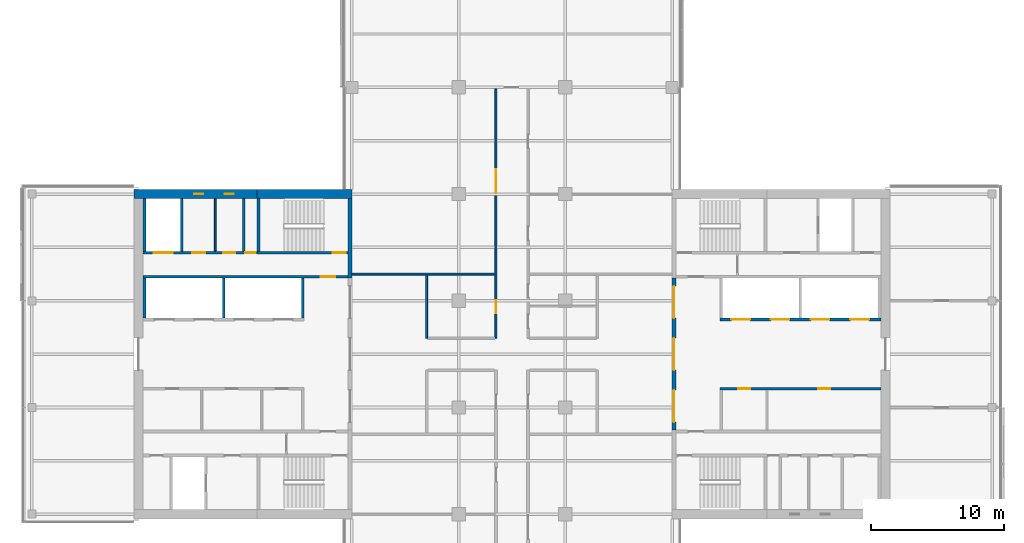
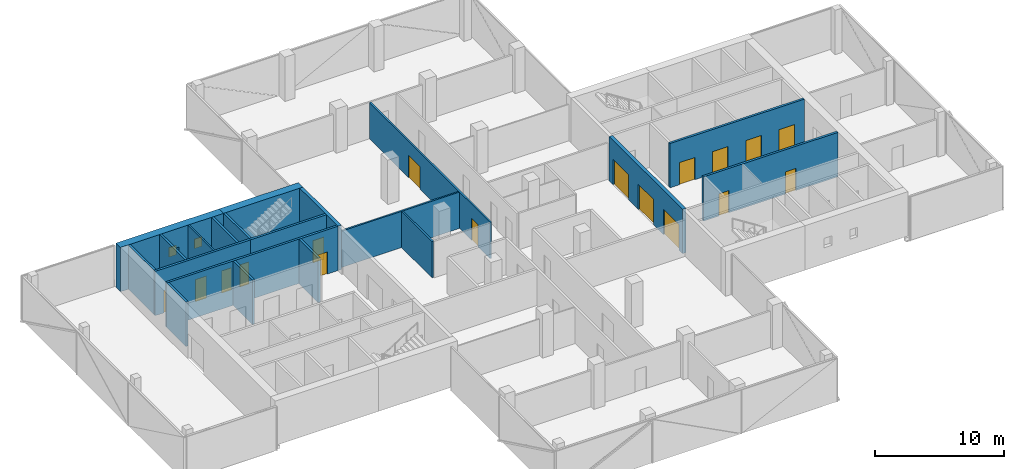
# One storey, part 15 of 22: 20 walls, 17 doors, 2 windows, 19 openings.
"""IFC4 building model written with IfcOpenShell, lengths in metres."""

from ifc_helpers import new_model, si_unit, direction, frame, frame_2d, origin, place, context, subcontext, project, spatial, rectangle, extrude, material, layer, layer_set, constituent, constituent_set, type_object, element, fill, save


model = new_model("IFC4")

# Units and contexts
model_context = context("Model", 3, precision=1e-05, world=origin(), true_north=direction((0.0, 1.0)))
body_context = subcontext(model_context, "Body", "Model", "MODEL_VIEW")
ifc_project = project(units=[si_unit("LENGTHUNIT", "METRE"), si_unit("AREAUNIT", "SQUARE_METRE"), si_unit("VOLUMEUNIT", "CUBIC_METRE"), si_unit("PLANEANGLEUNIT", "RADIAN"), si_unit("MASSUNIT", "GRAM", prefix="KILO")], contexts=[model_context])

# Site, building, storey
site_placement = place(None, origin())
site = spatial("IfcSite", under=ifc_project, at=site_placement, CompositionType="ELEMENT")
building_placement = place(site_placement, origin())
building = spatial("IfcBuilding", under=site, at=building_placement, Name="Crosswind Convention Tower", CompositionType="ELEMENT")
storey_placement = place(building_placement, frame((0.0, 0.0, 150.5)))
storey = spatial("IfcBuildingStorey", under=building, at=storey_placement, Name="L31", CompositionType="ELEMENT", Elevation=150.5)

# Wall
ifc_material_1 = material(Name="Concrete blockwork", Category="masonry")
ifc_layer_1 = layer(ifc_material_1, 0.199951171875)
ifc_layer_set_1 = layer_set([ifc_layer_1], Name="Blockwork partition wall 200")
wall_type_1 = type_object("IfcWallType", Name="Blockwork partition wall 200", PredefinedType="PARTITIONING", material=ifc_layer_set_1)
wall_1_placement = place(storey_placement, frame((104.89990234375, 111.64990234375, 0.0), z_axis=(0.0, 0.0, 1.0), x_axis=(0.0, -1.0, 0.0)))
element("IfcWall", 1, at=wall_1_placement, inside=storey, type_object=wall_type_1, Name="Wall MRSE W L31", PredefinedType="PARTITIONING", context=body_context, shape_type="SweptSolid", body=[
    extrude(rectangle(XDim=3.949951171875, YDim=0.199951171875, at=frame_2d((1.97509765625, 0.0))), origin(), (0.0, 0.0, 1.0), 4.199951171875),
])

# Wall, openings, doors
ifc_material_2 = material(Name="Concrete C50/60", Category="concrete")
ifc_layer_2 = layer(ifc_material_2, 0.300048828125)
ifc_layer_set_2 = layer_set([ifc_layer_2], Name="Concrete C50/60")
wall_type_2 = type_object("IfcWallType", Name="Concrete inner core wall 300", PredefinedType="SHEAR", material=ifc_layer_set_2)
wall_2_placement = place(storey_placement, frame((137.14990234375, 94.300048828125, 0.0), z_axis=(0.0, 0.0, 1.0), x_axis=(0.0, 1.0, 0.0)))
wall_2 = element("IfcWall", 2, at=wall_2_placement, inside=storey, type_object=wall_type_2, Name="Wall SCR E L31", PredefinedType="SHEAR", context=body_context, shape_type="SweptSolid", body=[
    extrude(rectangle(XDim=11.39990234375, YDim=0.300048828125, at=frame_2d((5.699951171875, 0.0))), origin(), (0.0, 0.0, 1.0), 4.199951171875),
])
opening_1_placement = place(wall_2_placement, frame((0.60009765625, 0.0, 0.0)))
opening_1 = element("IfcOpeningElement", 3, at=opening_1_placement, cuts=wall_2, Name="Opening D100", PredefinedType="OPENING", context=body_context, shape_type="SweptSolid", body=[
    extrude(rectangle(XDim=2.39990234375, YDim=2.39990234375, at=frame_2d((1.199951171875, 1.199951171875))), frame((0.0, 0.159912109375, 0.0), z_axis=(0.0, -1.0, 0.0), x_axis=(1.0, 0.0, 0.0)), (0.0, 0.0, 1.0), 0.320068359375),
])
opening_2_placement = place(wall_2_placement, frame((4.5, 0.0, 0.0)))
opening_2 = element("IfcOpeningElement", 4, at=opening_2_placement, cuts=wall_2, Name="Opening D100", PredefinedType="OPENING", context=body_context, shape_type="SweptSolid", body=[
    extrude(rectangle(XDim=2.39990234375, YDim=2.39990234375, at=frame_2d((1.199951171875, 1.199951171875))), frame((0.0, 0.159912109375, 0.0), z_axis=(0.0, -1.0, 0.0), x_axis=(1.0, 0.0, 0.0)), (0.0, 0.0, 1.0), 0.320068359375),
])
opening_3_placement = place(wall_2_placement, frame((8.39990234375, 0.0, 0.0)))
opening_3 = element("IfcOpeningElement", 5, at=opening_3_placement, cuts=wall_2, Name="Opening D100", PredefinedType="OPENING", context=body_context, shape_type="SweptSolid", body=[
    extrude(rectangle(XDim=2.39990234375, YDim=2.39990234375, at=frame_2d((1.199951171875, 1.199951171875))), frame((0.0, 0.159912109375, 0.0), z_axis=(0.0, -1.0, 0.0), x_axis=(1.0, 0.0, 0.0)), (0.0, 0.0, 1.0), 0.320068359375),
])
ifc_material_3 = material(Name="Steel fire door with glazed vision panels", Category="steel")
door_type_1 = type_object("IfcDoorType", Name="Fire-rated double door 2400x2400", OperationType="DOUBLE_DOOR_SINGLE_SWING", PredefinedType="DOOR", material=ifc_material_3)
door_1_placement = place(opening_1_placement, origin())
door_1 = element("IfcDoor", 6, at=door_1_placement, inside=storey, type_object=door_type_1, Name="Lobby door 1 L31", ObjectType="D100", OperationType="DOUBLE_DOOR_SINGLE_SWING", OverallHeight=2.39990234375, OverallWidth=2.39990234375, PredefinedType="DOOR", context=body_context, shape_type="SweptSolid", body=[
    extrude(rectangle(XDim=2.39990234375, YDim=2.39990234375, at=frame_2d((1.199951171875, 1.199951171875))), frame((0.0, 0.02490234375, 0.0), z_axis=(0.0, -1.0, 0.0), x_axis=(1.0, 0.0, 0.0)), (0.0, 0.0, 1.0), 0.050048828125),
])
fill(opening_1, door_1)
door_2_placement = place(opening_2_placement, origin())
door_2 = element("IfcDoor", 7, at=door_2_placement, inside=storey, type_object=door_type_1, Name="Lobby door 2 L31", ObjectType="D100", OperationType="DOUBLE_DOOR_SINGLE_SWING", OverallHeight=2.39990234375, OverallWidth=2.39990234375, PredefinedType="DOOR", context=body_context, shape_type="SweptSolid", body=[
    extrude(rectangle(XDim=2.39990234375, YDim=2.39990234375, at=frame_2d((1.199951171875, 1.199951171875))), frame((0.0, 0.02490234375, 0.0), z_axis=(0.0, -1.0, 0.0), x_axis=(1.0, 0.0, 0.0)), (0.0, 0.0, 1.0), 0.050048828125),
])
fill(opening_2, door_2)
door_3_placement = place(opening_3_placement, origin())
door_3 = element("IfcDoor", 8, at=door_3_placement, inside=storey, type_object=door_type_1, Name="Lobby door 3 L31", ObjectType="D100", OperationType="DOUBLE_DOOR_SINGLE_SWING", OverallHeight=2.39990234375, OverallWidth=2.39990234375, PredefinedType="DOOR", context=body_context, shape_type="SweptSolid", body=[
    extrude(rectangle(XDim=2.39990234375, YDim=2.39990234375, at=frame_2d((1.199951171875, 1.199951171875))), frame((0.0, 0.02490234375, 0.0), z_axis=(0.0, -1.0, 0.0), x_axis=(1.0, 0.0, 0.0)), (0.0, 0.0, 1.0), 0.050048828125),
])
fill(opening_3, door_3)

# Wall
wall_3_placement = place(storey_placement, frame((112.85009765625, 111.64990234375, 0.0), z_axis=(0.0, 0.0, 1.0), x_axis=(0.0, -1.0, 0.0)))
element("IfcWall", 9, at=wall_3_placement, inside=storey, type_object=wall_type_2, Name="Wall EM W L31", PredefinedType="SHEAR", context=body_context, shape_type="SweptSolid", body=[
    extrude(rectangle(XDim=5.949951171875, YDim=0.300048828125, at=frame_2d((2.97509765625, 0.0))), origin(), (0.0, 0.0, 1.0), 4.199951171875),
])

# Wall, openings, doors
ifc_layer_3 = layer(ifc_material_2, 0.199951171875)
ifc_layer_set_3 = layer_set([ifc_layer_3], Name="Concrete C50/60")
wall_type_3 = type_object("IfcWallType", Name="Concrete shaft and stair wall 200", PredefinedType="SHEAR", material=ifc_layer_set_3)
wall_4_placement = place(storey_placement, frame((140.60009765625, 102.60009765625, 0.0), z_axis=(0.0, 0.0, 1.0), x_axis=(1.0, 0.0, 0.0)))
wall_4 = element("IfcWall", 10, at=wall_4_placement, inside=storey, type_object=wall_type_3, Name="Wall RPFRONT E L31", PredefinedType="SHEAR", context=body_context, shape_type="SweptSolid", body=[
    extrude(rectangle(XDim=12.0498046875, YDim=0.199951171875, at=frame_2d((6.02490234375, 0.0))), origin(), (0.0, 0.0, 1.0), 4.199951171875),
])
opening_4_placement = place(wall_4_placement, frame((0.85009765625, 0.0, 0.0)))
opening_4 = element("IfcOpeningElement", 11, at=opening_4_placement, cuts=wall_4, Name="Opening LD2", PredefinedType="OPENING", context=body_context, shape_type="SweptSolid", body=[
    extrude(rectangle(XDim=1.39990234375, YDim=2.10009765625, at=frame_2d((0.699951171875, 1.050048828125))), frame((0.0, 0.10986328125, 0.0), z_axis=(0.0, -1.0, 0.0), x_axis=(1.0, 0.0, 0.0)), (0.0, 0.0, 1.0), 0.219970703125),
])
opening_5_placement = place(wall_4_placement, frame((3.800048828125, 0.0, 0.0)))
opening_5 = element("IfcOpeningElement", 12, at=opening_5_placement, cuts=wall_4, Name="Opening LD2", PredefinedType="OPENING", context=body_context, shape_type="SweptSolid", body=[
    extrude(rectangle(XDim=1.39990234375, YDim=2.10009765625, at=frame_2d((0.699951171875, 1.050048828125))), frame((0.0, 0.10986328125, 0.0), z_axis=(0.0, -1.0, 0.0), x_axis=(1.0, 0.0, 0.0)), (0.0, 0.0, 1.0), 0.219970703125),
])
opening_6_placement = place(wall_4_placement, frame((6.800048828125, 0.0, 0.0)))
opening_6 = element("IfcOpeningElement", 13, at=opening_6_placement, cuts=wall_4, Name="Opening LD2", PredefinedType="OPENING", context=body_context, shape_type="SweptSolid", body=[
    extrude(rectangle(XDim=1.39990234375, YDim=2.10009765625, at=frame_2d((0.699951171875, 1.050048828125))), frame((0.0, 0.10986328125, 0.0), z_axis=(0.0, -1.0, 0.0), x_axis=(1.0, 0.0, 0.0)), (0.0, 0.0, 1.0), 0.219970703125),
])
opening_7_placement = place(wall_4_placement, frame((9.77490234375, 0.0, 0.0)))
opening_7 = element("IfcOpeningElement", 14, at=opening_7_placement, cuts=wall_4, Name="Opening LD2", PredefinedType="OPENING", context=body_context, shape_type="SweptSolid", body=[
    extrude(rectangle(XDim=1.39990234375, YDim=2.10009765625, at=frame_2d((0.699951171875, 1.050048828125))), frame((0.0, 0.10986328125, 0.0), z_axis=(0.0, -1.0, 0.0), x_axis=(1.0, 0.0, 0.0)), (0.0, 0.0, 1.0), 0.219970703125),
])
ifc_material_4 = material(Name="Stainless steel", Category="steel")
door_type_2 = type_object("IfcDoorType", Name="Lift landing door 1400x2100", OperationType="DOUBLE_DOOR_SLIDING", PredefinedType="DOOR", material=ifc_material_4)
door_4_placement = place(opening_4_placement, origin())
door_4 = element("IfcDoor", 15, at=door_4_placement, inside=storey, type_object=door_type_2, Name="Landing door A1 L31", ObjectType="LD2", OperationType="DOUBLE_DOOR_SLIDING", OverallHeight=2.10009765625, OverallWidth=1.39990234375, PredefinedType="DOOR", context=body_context, shape_type="SweptSolid", body=[
    extrude(rectangle(XDim=1.39990234375, YDim=2.10009765625, at=frame_2d((0.699951171875, 1.050048828125))), frame((0.0, 0.02490234375, 0.0), z_axis=(0.0, -1.0, 0.0), x_axis=(1.0, 0.0, 0.0)), (0.0, 0.0, 1.0), 0.050048828125),
])
fill(opening_4, door_4)
door_5_placement = place(opening_5_placement, origin())
door_5 = element("IfcDoor", 16, at=door_5_placement, inside=storey, type_object=door_type_2, Name="Landing door A2 L31", ObjectType="LD2", OperationType="DOUBLE_DOOR_SLIDING", OverallHeight=2.10009765625, OverallWidth=1.39990234375, PredefinedType="DOOR", context=body_context, shape_type="SweptSolid", body=[
    extrude(rectangle(XDim=1.39990234375, YDim=2.10009765625, at=frame_2d((0.699951171875, 1.050048828125))), frame((0.0, 0.02490234375, 0.0), z_axis=(0.0, -1.0, 0.0), x_axis=(1.0, 0.0, 0.0)), (0.0, 0.0, 1.0), 0.050048828125),
])
fill(opening_5, door_5)
door_6_placement = place(opening_6_placement, origin())
door_6 = element("IfcDoor", 17, at=door_6_placement, inside=storey, type_object=door_type_2, Name="Landing door A3 L31", ObjectType="LD2", OperationType="DOUBLE_DOOR_SLIDING", OverallHeight=2.10009765625, OverallWidth=1.39990234375, PredefinedType="DOOR", context=body_context, shape_type="SweptSolid", body=[
    extrude(rectangle(XDim=1.39990234375, YDim=2.10009765625, at=frame_2d((0.699951171875, 1.050048828125))), frame((0.0, 0.02490234375, 0.0), z_axis=(0.0, -1.0, 0.0), x_axis=(1.0, 0.0, 0.0)), (0.0, 0.0, 1.0), 0.050048828125),
])
fill(opening_6, door_6)
door_7_placement = place(opening_7_placement, origin())
door_7 = element("IfcDoor", 18, at=door_7_placement, inside=storey, type_object=door_type_2, Name="Landing door A4 L31", ObjectType="LD2", OperationType="DOUBLE_DOOR_SLIDING", OverallHeight=2.10009765625, OverallWidth=1.39990234375, PredefinedType="DOOR", context=body_context, shape_type="SweptSolid", body=[
    extrude(rectangle(XDim=1.39990234375, YDim=2.10009765625, at=frame_2d((0.699951171875, 1.050048828125))), frame((0.0, 0.02490234375, 0.0), z_axis=(0.0, -1.0, 0.0), x_axis=(1.0, 0.0, 0.0)), (0.0, 0.0, 1.0), 0.050048828125),
])
fill(opening_7, door_7)

wall_5_placement = place(storey_placement, frame((140.60009765625, 97.39990234375, 0.0), z_axis=(0.0, 0.0, 1.0), x_axis=(1.0, 0.0, 0.0)))
wall_5 = element("IfcWall", 19, at=wall_5_placement, inside=storey, type_object=wall_type_3, Name="Wall RMFRONT E L31", PredefinedType="SHEAR", context=body_context, shape_type="SweptSolid", body=[
    extrude(rectangle(XDim=12.0498046875, YDim=0.199951171875, at=frame_2d((6.02490234375, 0.0))), origin(), (0.0, 0.0, 1.0), 4.199951171875),
])
opening_8_placement = place(wall_5_placement, frame((1.377685546875, 0.0, 0.0)))
opening_8 = element("IfcOpeningElement", 20, at=opening_8_placement, cuts=wall_5, Name="Opening D106", PredefinedType="OPENING", context=body_context, shape_type="SweptSolid", body=[
    extrude(rectangle(XDim=0.89990234375, YDim=2.10009765625, at=frame_2d((0.449951171875, 1.050048828125))), frame((0.0, 0.10986328125, 0.0), z_axis=(0.0, -1.0, 0.0), x_axis=(1.0, 0.0, 0.0)), (0.0, 0.0, 1.0), 0.219970703125),
])
opening_9_placement = place(wall_5_placement, frame((7.365234375, 0.0, 0.0)))
opening_9 = element("IfcOpeningElement", 21, at=opening_9_placement, cuts=wall_5, Name="Opening D106", PredefinedType="OPENING", context=body_context, shape_type="SweptSolid", body=[
    extrude(rectangle(XDim=0.89990234375, YDim=2.10009765625, at=frame_2d((0.449951171875, 1.050048828125))), frame((0.0, 0.10986328125, 0.0), z_axis=(0.0, -1.0, 0.0), x_axis=(1.0, 0.0, 0.0)), (0.0, 0.0, 1.0), 0.219970703125),
])
ifc_material_5 = material(Name="Timber door", Category="wood")
door_type_3 = type_object("IfcDoorType", Name="Single leaf door 900x2100", OperationType="NOTDEFINED", PredefinedType="DOOR", material=ifc_material_5)
door_8_placement = place(opening_8_placement, frame((0.89990234375, 0.0, 0.0), z_axis=(0.0, 0.0, 1.0), x_axis=(-1.0, 0.0, 0.0)))
door_8 = element("IfcDoor", 22, at=door_8_placement, inside=storey, type_object=door_type_3, Name="Door to copy and print room L31", ObjectType="D106", OperationType="SINGLE_SWING_LEFT", OverallHeight=2.10009765625, OverallWidth=0.89990234375, PredefinedType="DOOR", context=body_context, shape_type="SweptSolid", body=[
    extrude(rectangle(XDim=0.89990234375, YDim=2.10009765625, at=frame_2d((0.449951171875, 1.050048828125))), frame((0.0, 0.02490234375, 0.0), z_axis=(0.0, -1.0, 0.0), x_axis=(1.0, 0.0, 0.0)), (0.0, 0.0, 1.0), 0.050048828125),
])
fill(opening_8, door_8)
door_9_placement = place(opening_9_placement, frame((0.89990234375, 0.0, 0.0), z_axis=(0.0, 0.0, 1.0), x_axis=(-1.0, 0.0, 0.0)))
door_9 = element("IfcDoor", 23, at=door_9_placement, inside=storey, type_object=door_type_3, Name="Door to meeting room L31", ObjectType="D106", OperationType="SINGLE_SWING_LEFT", OverallHeight=2.10009765625, OverallWidth=0.89990234375, PredefinedType="DOOR", context=body_context, shape_type="SweptSolid", body=[
    extrude(rectangle(XDim=0.89990234375, YDim=2.10009765625, at=frame_2d((0.449951171875, 1.050048828125))), frame((0.0, 0.02490234375, 0.0), z_axis=(0.0, -1.0, 0.0), x_axis=(1.0, 0.0, 0.0)), (0.0, 0.0, 1.0), 0.050048828125),
])
fill(opening_9, door_9)

# Walls
for number, where, z_axis, x_axis, name in (
    (24, (109.300048828125, 105.699951171875, 0.0), (0.0, 0.0, 1.0), (0.0, -1.0, 0.0), "Wall RMEND W L31"),
    (25, (103.39990234375, 105.699951171875, 0.0), (0.0, 0.0, 1.0), (0.0, -1.0, 0.0), "Wall RMSEP W L31"),
    (26, (97.449951171875, 105.699951171875, 0.0), (0.0, 0.0, 1.0), (0.0, -1.0, 0.0), "Wall RMEAST W L31"),
):
    element("IfcWall", number, at=place(storey_placement, frame(where, z_axis=z_axis, x_axis=x_axis)), inside=storey, type_object=wall_type_3, Name=name, PredefinedType="SHEAR", context=body_context, shape_type="SweptSolid", body=[
        extrude(rectangle(XDim=3.0, YDim=0.199951171875, at=frame_2d((1.5, 0.0))), origin(), (0.0, 0.0, 1.0), 4.199951171875),
    ])

# Wall, opening, door
wall_6_placement = place(storey_placement, frame((112.699951171875, 105.800048828125, 0.0), z_axis=(0.0, 0.0, 1.0), x_axis=(-1.0, 0.0, 0.0)))
wall_6 = element("IfcWall", 27, at=wall_6_placement, inside=storey, type_object=wall_type_3, Name="Wall HM W L31", PredefinedType="SHEAR", context=body_context, shape_type="SweptSolid", body=[
    extrude(rectangle(XDim=15.349853515625, YDim=0.199951171875, at=frame_2d((7.6748046875, 0.0))), origin(), (0.0, 0.0, 1.0), 4.199951171875),
])
opening_10_placement = place(wall_6_placement, frame((0.949951171875, 0.0, 0.0)))
opening_10 = element("IfcOpeningElement", 28, at=opening_10_placement, cuts=wall_6, Name="Opening D104", PredefinedType="OPENING", context=body_context, shape_type="SweptSolid", body=[
    extrude(rectangle(XDim=1.10009765625, YDim=2.10009765625, at=frame_2d((0.550048828125, 1.050048828125))), frame((0.0, 0.10986328125, 0.0), z_axis=(0.0, -1.0, 0.0), x_axis=(1.0, 0.0, 0.0)), (0.0, 0.0, 1.0), 0.219970703125),
])
ifc_material_6 = material(Name="Steel fire door", Category="steel")
door_type_4 = type_object("IfcDoorType", Name="Fire-rated single door 1100x2100", OperationType="NOTDEFINED", PredefinedType="DOOR", material=ifc_material_6)
door_10_placement = place(opening_10_placement, origin())
door_10 = element("IfcDoor", 29, at=door_10_placement, inside=storey, type_object=door_type_4, Name="Corridor door L31", ObjectType="D104", OperationType="SINGLE_SWING_LEFT", OverallHeight=2.10009765625, OverallWidth=1.10009765625, PredefinedType="DOOR", context=body_context, shape_type="SweptSolid", body=[
    extrude(rectangle(XDim=1.10009765625, YDim=2.10009765625, at=frame_2d((0.550048828125, 1.050048828125))), frame((0.0, 0.02490234375, 0.0), z_axis=(0.0, -1.0, 0.0), x_axis=(1.0, 0.0, 0.0)), (0.0, 0.0, 1.0), 0.050048828125),
])
fill(opening_10, door_10)

# Walls
for number, where, z_axis, x_axis, name in (
    (30, (106.0, 111.64990234375, 0.0), (0.0, 0.0, 1.0), (0.0, -1.0, 0.0), "Wall MSE W L31"),
    (31, (100.25, 111.64990234375, 0.0), (0.0, 0.0, 1.0), (0.0, -1.0, 0.0), "Wall MFSW W L31"),
    (32, (97.449951171875, 111.64990234375, 0.0), (0.0, 0.0, 1.0), (0.0, -1.0, 0.0), "Wall MFSE W L31"),
):
    element("IfcWall", number, at=place(storey_placement, frame(where, z_axis=z_axis, x_axis=x_axis)), inside=storey, type_object=wall_type_3, Name=name, PredefinedType="SHEAR", context=body_context, shape_type="SweptSolid", body=[
        extrude(rectangle(XDim=3.949951171875, YDim=0.199951171875, at=frame_2d((1.97509765625, 0.0))), origin(), (0.0, 0.0, 1.0), 4.199951171875),
    ])

# Wall, opening, door
wall_7_placement = place(storey_placement, frame((112.699951171875, 107.60009765625, 0.0), z_axis=(0.0, 0.0, 1.0), x_axis=(-1.0, 0.0, 0.0)))
wall_7 = element("IfcWall", 33, at=wall_7_placement, inside=storey, type_object=wall_type_3, Name="Wall MCW W L31", PredefinedType="SHEAR", context=body_context, shape_type="SweptSolid", body=[
    extrude(rectangle(XDim=6.800048828125, YDim=0.199951171875, at=frame_2d((3.39990234375, 0.0))), origin(), (0.0, 0.0, 1.0), 4.199951171875),
])
opening_11_placement = place(wall_7_placement, frame((0.14990234375, 0.0, 0.0)))
opening_11 = element("IfcOpeningElement", 34, at=opening_11_placement, cuts=wall_7, Name="Opening D103", PredefinedType="OPENING", context=body_context, shape_type="SweptSolid", body=[
    extrude(rectangle(XDim=1.0, YDim=2.10009765625, at=frame_2d((0.5, 1.050048828125))), frame((0.0, 0.10986328125, 0.0), z_axis=(0.0, -1.0, 0.0), x_axis=(1.0, 0.0, 0.0)), (0.0, 0.0, 1.0), 0.219970703125),
])
door_type_5 = type_object("IfcDoorType", Name="Fire-rated single door 1000x2100", OperationType="NOTDEFINED", PredefinedType="DOOR", material=ifc_material_6)
door_11_placement = place(opening_11_placement, frame((1.0, 0.0, 0.0), z_axis=(0.0, 0.0, 1.0), x_axis=(-1.0, 0.0, 0.0)))
door_11 = element("IfcDoor", 35, at=door_11_placement, inside=storey, type_object=door_type_5, Name="Stair ST4 door L31", ObjectType="D103", OperationType="SINGLE_SWING_RIGHT", OverallHeight=2.10009765625, OverallWidth=1.0, PredefinedType="DOOR", context=body_context, shape_type="SweptSolid", body=[
    extrude(rectangle(XDim=1.0, YDim=2.10009765625, at=frame_2d((0.5, 1.050048828125))), frame((0.0, 0.02490234375, 0.0), z_axis=(0.0, -1.0, 0.0), x_axis=(1.0, 0.0, 0.0)), (0.0, 0.0, 1.0), 0.050048828125),
])
fill(opening_11, door_11)

# Wall, openings, doors
wall_8_placement = place(storey_placement, frame((105.89990234375, 107.60009765625, 0.0), z_axis=(0.0, 0.0, 1.0), x_axis=(-1.0, 0.0, 0.0)))
wall_8 = element("IfcWall", 36, at=wall_8_placement, inside=storey, type_object=wall_type_3, Name="Wall MCX W L31", PredefinedType="SHEAR", context=body_context, shape_type="SweptSolid", body=[
    extrude(rectangle(XDim=8.5498046875, YDim=0.199951171875, at=frame_2d((4.27490234375, 0.0))), origin(), (0.0, 0.0, 1.0), 4.199951171875),
])
opening_12_placement = place(wall_8_placement, frame((0.10009765625, 0.0, 0.0)))
opening_12 = element("IfcOpeningElement", 37, at=opening_12_placement, cuts=wall_8, Name="Opening D105", PredefinedType="OPENING", context=body_context, shape_type="SweptSolid", body=[
    extrude(rectangle(XDim=0.800048828125, YDim=2.10009765625, at=frame_2d((0.39990234375, 1.050048828125))), frame((0.0, 0.10986328125, 0.0), z_axis=(0.0, -1.0, 0.0), x_axis=(1.0, 0.0, 0.0)), (0.0, 0.0, 1.0), 0.219970703125),
])
opening_13_placement = place(wall_8_placement, frame((1.642333984375, 0.0, 0.0)))
opening_13 = element("IfcOpeningElement", 38, at=opening_13_placement, cuts=wall_8, Name="Opening D106", PredefinedType="OPENING", context=body_context, shape_type="SweptSolid", body=[
    extrude(rectangle(XDim=0.89990234375, YDim=2.10009765625, at=frame_2d((0.449951171875, 1.050048828125))), frame((0.0, 0.10986328125, 0.0), z_axis=(0.0, -1.0, 0.0), x_axis=(1.0, 0.0, 0.0)), (0.0, 0.0, 1.0), 0.219970703125),
])
opening_14_placement = place(wall_8_placement, frame((3.879638671875, 0.0, 0.0)))
opening_14 = element("IfcOpeningElement", 39, at=opening_14_placement, cuts=wall_8, Name="Opening D103", PredefinedType="OPENING", context=body_context, shape_type="SweptSolid", body=[
    extrude(rectangle(XDim=1.0, YDim=2.10009765625, at=frame_2d((0.5, 1.050048828125))), frame((0.0, 0.10986328125, 0.0), z_axis=(0.0, -1.0, 0.0), x_axis=(1.0, 0.0, 0.0)), (0.0, 0.0, 1.0), 0.219970703125),
])
opening_15_placement = place(wall_8_placement, frame((6.35009765625, 0.0, 0.0)))
opening_15 = element("IfcOpeningElement", 40, at=opening_15_placement, cuts=wall_8, Name="Opening LD2", PredefinedType="OPENING", context=body_context, shape_type="SweptSolid", body=[
    extrude(rectangle(XDim=1.39990234375, YDim=2.10009765625, at=frame_2d((0.699951171875, 1.050048828125))), frame((0.0, 0.10986328125, 0.0), z_axis=(0.0, -1.0, 0.0), x_axis=(1.0, 0.0, 0.0)), (0.0, 0.0, 1.0), 0.219970703125),
])
door_12_placement = place(opening_14_placement, frame((1.0, 0.0, 0.0), z_axis=(0.0, 0.0, 1.0), x_axis=(-1.0, 0.0, 0.0)))
door_12 = element("IfcDoor", 41, at=door_12_placement, inside=storey, type_object=door_type_5, Name="Door to accessible wc L31", ObjectType="D103", OperationType="SINGLE_SWING_LEFT", OverallHeight=2.10009765625, OverallWidth=1.0, PredefinedType="DOOR", context=body_context, shape_type="SweptSolid", body=[
    extrude(rectangle(XDim=1.0, YDim=2.10009765625, at=frame_2d((0.5, 1.050048828125))), frame((0.0, 0.02490234375, 0.0), z_axis=(0.0, -1.0, 0.0), x_axis=(1.0, 0.0, 0.0)), (0.0, 0.0, 1.0), 0.050048828125),
])
fill(opening_14, door_12)
door_13_placement = place(opening_15_placement, origin())
door_13 = element("IfcDoor", 42, at=door_13_placement, inside=storey, type_object=door_type_2, Name="Landing door SV2 L31", ObjectType="LD2", OperationType="DOUBLE_DOOR_SLIDING", OverallHeight=2.10009765625, OverallWidth=1.39990234375, PredefinedType="DOOR", context=body_context, shape_type="SweptSolid", body=[
    extrude(rectangle(XDim=1.39990234375, YDim=2.10009765625, at=frame_2d((0.699951171875, 1.050048828125))), frame((0.0, 0.02490234375, 0.0), z_axis=(0.0, -1.0, 0.0), x_axis=(1.0, 0.0, 0.0)), (0.0, 0.0, 1.0), 0.050048828125),
])
fill(opening_15, door_13)
door_type_6 = type_object("IfcDoorType", Name="Riser access door 800x2100", OperationType="NOTDEFINED", PredefinedType="DOOR", material=ifc_material_6)
door_14_placement = place(opening_12_placement, frame((0.800048828125, 0.0, 0.0), z_axis=(0.0, 0.0, 1.0), x_axis=(-1.0, 0.0, 0.0)))
door_14 = element("IfcDoor", 43, at=door_14_placement, inside=storey, type_object=door_type_6, Name="Riser door L31", ObjectType="D105", OperationType="SINGLE_SWING_LEFT", OverallHeight=2.10009765625, OverallWidth=0.800048828125, PredefinedType="DOOR", context=body_context, shape_type="SweptSolid", body=[
    extrude(rectangle(XDim=0.800048828125, YDim=2.10009765625, at=frame_2d((0.39990234375, 1.050048828125))), frame((0.0, 0.02490234375, 0.0), z_axis=(0.0, -1.0, 0.0), x_axis=(1.0, 0.0, 0.0)), (0.0, 0.0, 1.0), 0.050048828125),
])
fill(opening_12, door_14)
door_15_placement = place(opening_13_placement, frame((0.89990234375, 0.0, 0.0), z_axis=(0.0, 0.0, 1.0), x_axis=(-1.0, 0.0, 0.0)))
door_15 = element("IfcDoor", 44, at=door_15_placement, inside=storey, type_object=door_type_3, Name="Door to wc L31", ObjectType="D106", OperationType="SINGLE_SWING_LEFT", OverallHeight=2.10009765625, OverallWidth=0.89990234375, PredefinedType="DOOR", context=body_context, shape_type="SweptSolid", body=[
    extrude(rectangle(XDim=0.89990234375, YDim=2.10009765625, at=frame_2d((0.449951171875, 1.050048828125))), frame((0.0, 0.02490234375, 0.0), z_axis=(0.0, -1.0, 0.0), x_axis=(1.0, 0.0, 0.0)), (0.0, 0.0, 1.0), 0.050048828125),
])
fill(opening_13, door_15)

# Walls
ifc_material_7 = material(Name="Gypsum plasterboard partition", Category="gypsum")
ifc_layer_4 = layer(ifc_material_7, 0.125)
ifc_layer_set_4 = layer_set([ifc_layer_4], Name="Drywall partition wall 125")
wall_type_4 = type_object("IfcWallType", Name="Drywall partition wall 125", PredefinedType="PARTITIONING", material=ifc_layer_set_4)
wall_9_placement = place(storey_placement, frame((102.7529296875, 111.64990234375, 0.0), z_axis=(0.0, 0.0, 1.0), x_axis=(0.0, -1.0, 0.0)))
element("IfcWall", 45, at=wall_9_placement, inside=storey, type_object=wall_type_4, Name="Wall MWP1 W L31", PredefinedType="PARTITIONING", context=body_context, shape_type="SweptSolid", body=[
    extrude(rectangle(XDim=3.949951171875, YDim=0.125, at=frame_2d((1.97509765625, 0.0))), origin(), (0.0, 0.0, 1.0), 4.199951171875),
])
ifc_material_8 = material(Name="Fire-board partition with mineral wool", Category="gypsum")
ifc_layer_5 = layer(ifc_material_8, 0.14990234375)
ifc_layer_set_5 = layer_set([ifc_layer_5], Name="TENANCY WALL 150 TWO-HOUR BOARD")
wall_type_5 = type_object("IfcWallType", Name="TENANCY WALL 150 TWO-HOUR BOARD", PredefinedType="PARTITIONING", material=ifc_layer_set_5)
wall_10_placement = place(storey_placement, frame((118.60009765625, 101.199951171875, 0.0), z_axis=(0.0, 0.0, 1.0), x_axis=(0.0, 1.0, 0.0)))
element("IfcWall", 46, at=wall_10_placement, inside=storey, type_object=wall_type_5, Name="Tenancy wall WT41", PredefinedType="PARTITIONING", context=body_context, shape_type="SweptSolid", body=[
    extrude(rectangle(XDim=4.72509765625, YDim=0.14990234375, at=frame_2d((2.362548828125, 0.0))), origin(), (0.0, 0.0, 1.0), 3.436279296875),
])

# Wall, openings, doors
wall_11_placement = place(storey_placement, frame((123.800048828125, 101.199951171875, 0.0), z_axis=(0.0, 0.0, 1.0), x_axis=(0.0, 1.0, 0.0)))
wall_11 = element("IfcWall", 47, at=wall_11_placement, inside=storey, type_object=wall_type_5, Name="Tenancy wall WT41", PredefinedType="PARTITIONING", context=body_context, shape_type="SweptSolid", body=[
    extrude(rectangle(XDim=18.72509765625, YDim=0.14990234375, at=frame_2d((9.362548828125, 0.0))), origin(), (0.0, 0.0, 1.0), 3.436279296875),
])
opening_16_placement = place(wall_11_placement, frame((1.85009765625, 0.0, 0.0)))
opening_16 = element("IfcOpeningElement", 48, at=opening_16_placement, cuts=wall_11, Name="Opening L31-56", PredefinedType="OPENING", context=body_context, shape_type="SweptSolid", body=[
    extrude(rectangle(XDim=1.0, YDim=2.10009765625, at=frame_2d((0.5, 1.050048828125))), frame((0.0, 0.0849609375, 0.0), z_axis=(0.0, -1.0, 0.0), x_axis=(1.0, 0.0, 0.0)), (0.0, 0.0, 1.0), 0.169921875),
])
opening_17_placement = place(wall_11_placement, frame((10.85009765625, 0.0, 0.0)))
opening_17 = element("IfcOpeningElement", 49, at=opening_17_placement, cuts=wall_11, Name="Opening L31-57", PredefinedType="OPENING", context=body_context, shape_type="SweptSolid", body=[
    extrude(rectangle(XDim=1.800048828125, YDim=2.10009765625, at=frame_2d((0.89990234375, 1.050048828125))), frame((0.0, 0.0849609375, 0.0), z_axis=(0.0, -1.0, 0.0), x_axis=(1.0, 0.0, 0.0)), (0.0, 0.0, 1.0), 0.169921875),
])
ifc_material_9 = material(Name="Timber fire door", Category="wood")
door_type_7 = type_object("IfcDoorType", Name="TENANCY ENTRANCE DOOR 1000X2100 FD30S", OperationType="NOTDEFINED", PredefinedType="DOOR", material=ifc_material_9)
door_16_placement = place(opening_16_placement, origin())
door_16 = element("IfcDoor", 50, at=door_16_placement, inside=storey, type_object=door_type_7, Name="Door L31-56", ObjectType="D41", OperationType="SINGLE_SWING_LEFT", OverallHeight=2.10009765625, OverallWidth=1.0, PredefinedType="DOOR", context=body_context, shape_type="SweptSolid", body=[
    extrude(rectangle(XDim=1.0, YDim=2.10009765625, at=frame_2d((0.5, 1.050048828125))), frame((0.0, 0.02490234375, 0.0), z_axis=(0.0, -1.0, 0.0), x_axis=(1.0, 0.0, 0.0)), (0.0, 0.0, 1.0), 0.050048828125),
])
fill(opening_16, door_16)
door_type_8 = type_object("IfcDoorType", Name="TENANCY ENTRANCE DOUBLE DOOR 1800X2100 FD30S", OperationType="DOUBLE_DOOR_SINGLE_SWING", PredefinedType="DOOR", material=ifc_material_9)
door_17_placement = place(opening_17_placement, origin())
door_17 = element("IfcDoor", 51, at=door_17_placement, inside=storey, type_object=door_type_8, Name="Door L31-57", ObjectType="D42", OperationType="DOUBLE_DOOR_SINGLE_SWING", OverallHeight=2.10009765625, OverallWidth=1.800048828125, PredefinedType="DOOR", context=body_context, shape_type="SweptSolid", body=[
    extrude(rectangle(XDim=1.800048828125, YDim=2.10009765625, at=frame_2d((0.89990234375, 1.050048828125))), frame((0.0, 0.02490234375, 0.0), z_axis=(0.0, -1.0, 0.0), x_axis=(1.0, 0.0, 0.0)), (0.0, 0.0, 1.0), 0.050048828125),
])
fill(opening_17, door_17)

# Walls
wall_12_placement = place(storey_placement, frame((113.0, 106.0, 0.0), z_axis=(0.0, 0.0, 1.0), x_axis=(1.0, 0.0, 0.0)))
element("IfcWall", 52, at=wall_12_placement, inside=storey, type_object=wall_type_5, Name="Tenancy wall WT41", PredefinedType="PARTITIONING", context=body_context, shape_type="SweptSolid", body=[
    extrude(rectangle(XDim=10.72509765625, YDim=0.14990234375, at=frame_2d((5.362548828125, 0.0))), origin(), (0.0, 0.0, 1.0), 3.436279296875),
])
ifc_material_10 = material(Name="Concrete C60/75", Category="concrete")
ifc_constituent_1 = constituent(ifc_material_10, Name="Structure")
ifc_material_11 = material(Name="Terracotta rainscreen", Category="ceramic")
ifc_constituent_2 = constituent(ifc_material_11, Name="Facing")
ifc_constituent_set = constituent_set(constituents=[ifc_constituent_1, ifc_constituent_2], Name="Concrete C60/75, Terracotta rainscreen")
wall_type_6 = type_object("IfcWallType", Name="Terracotta rainscreen on concrete core wall 700", PredefinedType="SHEAR", material=ifc_constituent_set)
wall_13_placement = place(storey_placement, frame((113.0, 112.0, 0.0), z_axis=(0.0, 0.0, 1.0), x_axis=(-1.0, 0.0, 0.0)))
element("IfcWall", 53, at=wall_13_placement, inside=storey, type_object=wall_type_6, Name="Wall S1 W L31", PredefinedType="SHEAR", context=body_context, shape_type="SweptSolid", body=[
    extrude(rectangle(XDim=7.10009765625, YDim=0.699951171875, at=frame_2d((3.550048828125, 0.0))), origin(), (0.0, 0.0, 1.0), 4.199951171875),
])

# Wall, openings, windows
wall_14_placement = place(storey_placement, frame((105.89990234375, 112.0, 0.0), z_axis=(0.0, 0.0, 1.0), x_axis=(-1.0, 0.0, 0.0)))
wall_14 = element("IfcWall", 54, at=wall_14_placement, inside=storey, type_object=wall_type_6, Name="Wall S2 W L31", PredefinedType="SHEAR", context=body_context, shape_type="SweptSolid", body=[
    extrude(rectangle(XDim=9.25, YDim=0.699951171875, at=frame_2d((4.625, 0.0))), origin(), (0.0, 0.0, 1.0), 4.199951171875),
])
opening_18_placement = place(wall_14_placement, frame((1.7421875, 0.0, 1.5)))
opening_18 = element("IfcOpeningElement", 55, at=opening_18_placement, cuts=wall_14, Name="Opening W2", PredefinedType="OPENING", context=body_context, shape_type="SweptSolid", body=[
    extrude(rectangle(XDim=0.699951171875, YDim=0.89990234375, at=frame_2d((0.35009765625, 0.449951171875))), frame((0.0, 0.35986328125, 0.0), z_axis=(0.0, -1.0, 0.0), x_axis=(1.0, 0.0, 0.0)), (0.0, 0.0, 1.0), 0.719970703125),
])
opening_19_placement = place(wall_14_placement, frame((4.02978515625, 0.0, 1.5)))
opening_19 = element("IfcOpeningElement", 56, at=opening_19_placement, cuts=wall_14, Name="Opening W2", PredefinedType="OPENING", context=body_context, shape_type="SweptSolid", body=[
    extrude(rectangle(XDim=0.699951171875, YDim=0.89990234375, at=frame_2d((0.35009765625, 0.449951171875))), frame((0.0, 0.35986328125, 0.0), z_axis=(0.0, -1.0, 0.0), x_axis=(1.0, 0.0, 0.0)), (0.0, 0.0, 1.0), 0.719970703125),
])
ifc_material_12 = material(Name="Obscure glass in aluminium frame", Category="aluminium")
window_type = type_object("IfcWindowType", Name="WC window 700x900", PartitioningType="SINGLE_PANEL", PredefinedType="WINDOW", material=ifc_material_12)
window_1_placement = place(opening_18_placement, origin())
window_1 = element("IfcWindow", 57, at=window_1_placement, inside=storey, type_object=window_type, Name="WC window L31", ObjectType="W2", OverallHeight=0.89990234375, OverallWidth=0.699951171875, PartitioningType="SINGLE_PANEL", PredefinedType="WINDOW", context=body_context, shape_type="SweptSolid", body=[
    extrude(rectangle(XDim=0.699951171875, YDim=0.89990234375, at=frame_2d((0.35009765625, 0.449951171875))), frame((0.0, 0.030029296875, 0.0), z_axis=(0.0, -1.0, 0.0), x_axis=(1.0, 0.0, 0.0)), (0.0, 0.0, 1.0), 0.06005859375),
])
fill(opening_18, window_1)
window_2_placement = place(opening_19_placement, origin())
window_2 = element("IfcWindow", 58, at=window_2_placement, inside=storey, type_object=window_type, Name="WC window L31", ObjectType="W2", OverallHeight=0.89990234375, OverallWidth=0.699951171875, PartitioningType="SINGLE_PANEL", PredefinedType="WINDOW", context=body_context, shape_type="SweptSolid", body=[
    extrude(rectangle(XDim=0.699951171875, YDim=0.89990234375, at=frame_2d((0.35009765625, 0.449951171875))), frame((0.0, 0.030029296875, 0.0), z_axis=(0.0, -1.0, 0.0), x_axis=(1.0, 0.0, 0.0)), (0.0, 0.0, 1.0), 0.06005859375),
])
fill(opening_19, window_2)

save(model, "model.ifc")
